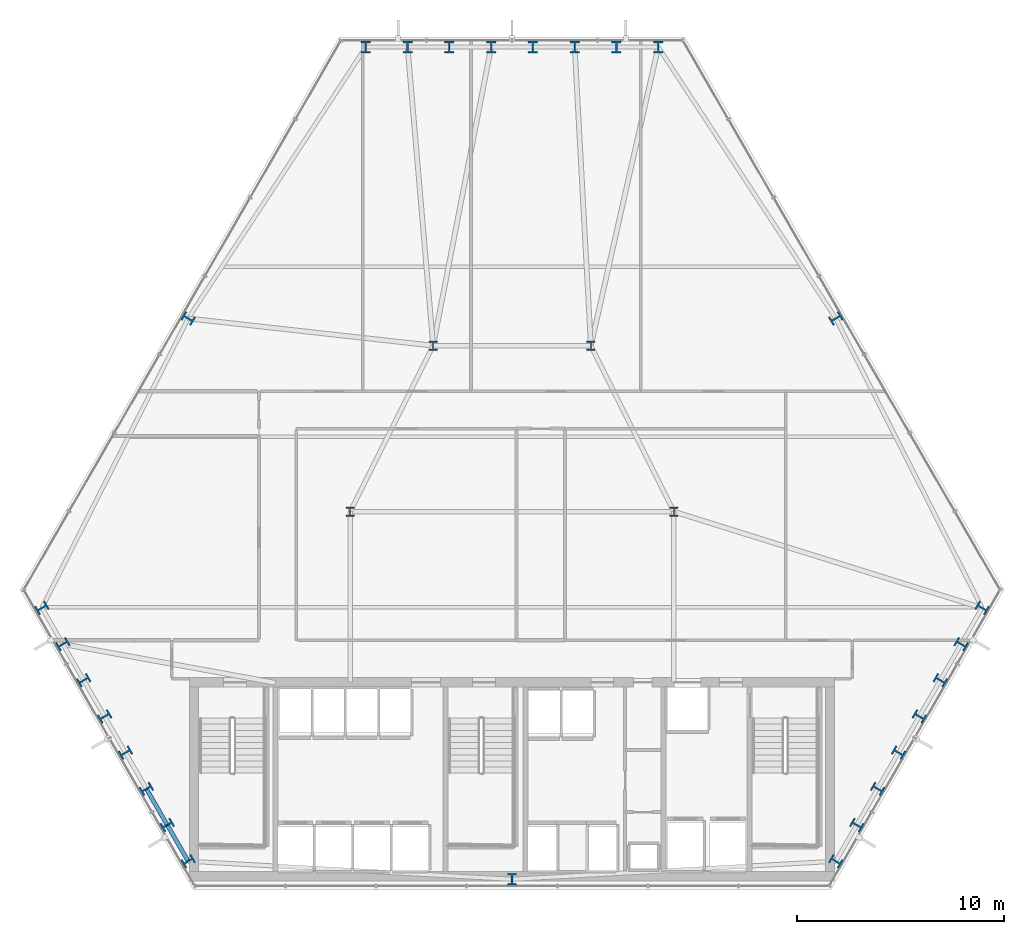
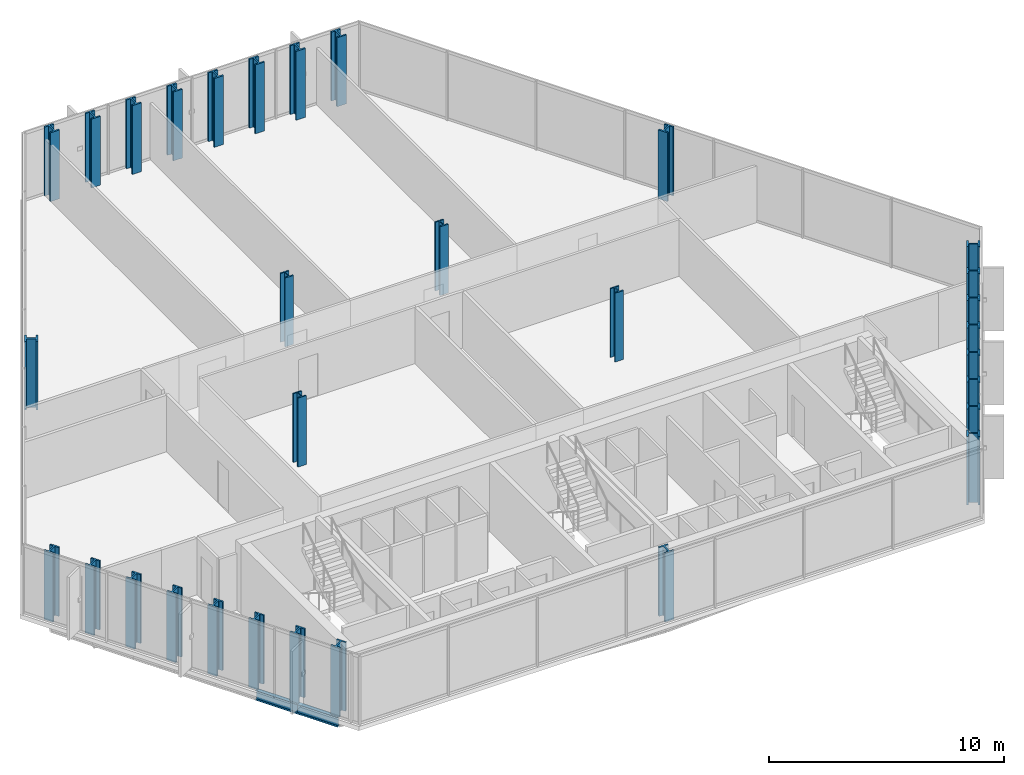
# One storey, part 1 of 33: 31 columns, 2 beams.
"""IFC4 building model written with IfcOpenShell, lengths in metres."""

from ifc_helpers import new_model, si_unit, direction, frame, origin, origin_2d, place, context, subcontext, project, spatial, i_section, extrude, material, material_profile, profile_set, type_object, element, save


model = new_model("IFC4")

# Units and contexts
model_context = context("Model", 3, precision=1e-05, world=origin(), true_north=direction((0.0, 1.0)))
body_context = subcontext(model_context, "Body", "Model", "MODEL_VIEW")
ifc_project = project(units=[si_unit("LENGTHUNIT", "METRE"), si_unit("AREAUNIT", "SQUARE_METRE"), si_unit("VOLUMEUNIT", "CUBIC_METRE"), si_unit("PLANEANGLEUNIT", "RADIAN"), si_unit("MASSUNIT", "GRAM", prefix="KILO")], contexts=[model_context])

# Site, building, storey
site_placement = place(None, origin())
site = spatial("IfcSite", under=ifc_project, at=site_placement, CompositionType="ELEMENT")
building_placement = place(site_placement, origin())
building = spatial("IfcBuilding", under=site, at=building_placement, Name="Ndaravel Arena Tower", CompositionType="ELEMENT")
storey_placement = place(building_placement, frame((0.0, 0.0, 39.800048828125)))
storey = spatial("IfcBuildingStorey", under=building, at=storey_placement, Name="L07", CompositionType="ELEMENT", Elevation=39.800048828125)

# Columns
ifc_material_1 = material(Name="Steel S460", Category="steel")
ifc_material_profile_1 = material_profile(ifc_material_1, i_section(OverallWidth=0.41845703125, OverallDepth=0.45556640625, WebThickness=0.0419921875, FlangeThickness=0.0673828125, FilletRadius=0.01513671875, at=origin_2d()), Name="UC 356x406x551")
ifc_profile_set_1 = profile_set([ifc_material_profile_1], Name="Steel S460")
column_type_1 = type_object("IfcColumnType", Name="COL-INT-UC551", PredefinedType="COLUMN", material=ifc_profile_set_1)
for number, where, z_axis, x_axis, name in (
    (1, (34.199951171875, 23.199951171875, 0.0), (0.0, 0.0, 1.0), (1.0, 0.0, 0.0), "L07 Interior Spine Column IC-01"),
    (2, (49.800048828125, 23.199951171875, 0.0), (0.0, 0.0, 1.0), (1.0, 0.0, 0.0), "L07 Interior Spine Column IC-02"),
    (3, (38.199951171875, 31.199951171875, 0.0), (0.0, 0.0, 1.0), (1.0, 0.0, 0.0), "L07 Interior Spine Column IC-03"),
    (4, (45.800048828125, 31.199951171875, 0.0), (0.0, 0.0, 1.0), (1.0, 0.0, 0.0), "L07 Interior Spine Column IC-04"),
):
    element("IfcColumn", number, at=place(storey_placement, frame(where, z_axis=z_axis, x_axis=x_axis)), inside=storey, type_object=column_type_1, Name=name, PredefinedType="COLUMN", context=body_context, shape_type="SweptSolid", body=[
        extrude(i_section(OverallWidth=0.41845703125, OverallDepth=0.45556640625, WebThickness=0.0419921875, FlangeThickness=0.0673828125, FilletRadius=0.01513671875, at=origin_2d()), origin(), (0.0, 0.0, 1.0), 3.579833984375),
    ])
ifc_material_2 = material(Name="Steel S460", Category="steel")
ifc_material_profile_2 = material_profile(ifc_material_2, i_section(OverallWidth=0.4541015625, OverallDepth=0.569091796875, WebThickness=0.077880859375, FlangeThickness=0.080078125, FilletRadius=0.014892578125, at=origin_2d()), Name="HD 400x1086")
ifc_profile_set_2 = profile_set([ifc_material_profile_2], Name="Steel S460")
column_type_2 = type_object("IfcColumnType", Name="COL-TUBE-HD1086", PredefinedType="COLUMN", material=ifc_profile_set_2)
for number, where, z_axis, x_axis, name in (
    (5, (42.0, 5.47998046875, 0.0), (0.0, 0.0, 1.0), (1.0, 0.0, 0.0), "L07 Framed Tube Column TC-01"),
    (6, (57.60693359375, 6.351806640625, 0.0), (0.0, 0.0, 1.0), (0.5, 0.866025403784, 0.0), "L07 Framed Tube Column TC-02"),
    (7, (58.613525390625, 8.095703125, 0.0), (0.0, 0.0, 1.0), (0.5, 0.866025403784, 0.0), "L07 Framed Tube Column TC-03"),
    (8, (59.620361328125, 9.83935546875, 0.0), (0.0, 0.0, 1.0), (0.5, 0.866025403784, 0.0), "L07 Framed Tube Column TC-04"),
    (9, (60.627197265625, 11.5830078125, 0.0), (0.0, 0.0, 1.0), (0.5, 0.866025403784, 0.0), "L07 Framed Tube Column TC-05"),
    (10, (61.6337890625, 13.326904296875, 0.0), (0.0, 0.0, 1.0), (0.5, 0.866025403784, 0.0), "L07 Framed Tube Column TC-06"),
    (11, (62.640625, 15.070556640625, 0.0), (0.0, 0.0, 1.0), (0.5, 0.866025403784, 0.0), "L07 Framed Tube Column TC-07"),
    (12, (63.6474609375, 16.814453125, 0.0), (0.0, 0.0, 1.0), (0.5, 0.866025403784, 0.0), "L07 Framed Tube Column TC-08"),
    (13, (64.654052734375, 18.55810546875, 0.0), (0.0, 0.0, 1.0), (0.5, 0.866025403784, 0.0), "L07 Framed Tube Column TC-09"),
    (14, (57.605712890625, 32.510009765625, 0.0), (0.0, 0.0, 1.0), (-0.5, 0.866025403784, 0.0), "L07 Framed Tube Column TC-10"),
    (15, (49.04736328125, 45.590087890625, 0.0), (0.0, 0.0, 1.0), (1.0, 0.0, 0.0), "L07 Framed Tube Column TC-11"),
    (16, (47.03369140625, 45.590087890625, 0.0), (0.0, 0.0, 1.0), (1.0, 0.0, 0.0), "L07 Framed Tube Column TC-12"),
    (17, (45.020263671875, 45.590087890625, 0.0), (0.0, 0.0, 1.0), (1.0, 0.0, 0.0), "L07 Framed Tube Column TC-13"),
    (18, (43.0068359375, 45.590087890625, 0.0), (0.0, 0.0, 1.0), (1.0, 0.0, 0.0), "L07 Framed Tube Column TC-14"),
    (19, (40.9931640625, 45.590087890625, 0.0), (0.0, 0.0, 1.0), (1.0, 0.0, 0.0), "L07 Framed Tube Column TC-15"),
    (20, (38.979736328125, 45.590087890625, 0.0), (0.0, 0.0, 1.0), (1.0, 0.0, 0.0), "L07 Framed Tube Column TC-16"),
    (21, (36.96630859375, 45.590087890625, 0.0), (0.0, 0.0, 1.0), (1.0, 0.0, 0.0), "L07 Framed Tube Column TC-17"),
    (22, (34.95263671875, 45.590087890625, 0.0), (0.0, 0.0, 1.0), (1.0, 0.0, 0.0), "L07 Framed Tube Column TC-18"),
    (23, (26.394287109375, 32.510009765625, 0.0), (0.0, 0.0, 1.0), (0.5, 0.866025403784, 0.0), "L07 Framed Tube Column TC-19"),
    (24, (19.345947265625, 18.55810546875, 0.0), (0.0, 0.0, 1.0), (-0.5, 0.866025403784, 0.0), "L07 Framed Tube Column TC-20"),
    (25, (20.3525390625, 16.814453125, 0.0), (0.0, 0.0, 1.0), (-0.5, 0.866025403784, 0.0), "L07 Framed Tube Column TC-21"),
    (26, (21.359375, 15.070556640625, 0.0), (0.0, 0.0, 1.0), (-0.5, 0.866025403784, 0.0), "L07 Framed Tube Column TC-22"),
    (27, (22.3662109375, 13.326904296875, 0.0), (0.0, 0.0, 1.0), (-0.5, 0.866025403784, 0.0), "L07 Framed Tube Column TC-23"),
    (28, (23.372802734375, 11.5830078125, 0.0), (0.0, 0.0, 1.0), (-0.5, 0.866025403784, 0.0), "L07 Framed Tube Column TC-24"),
    (29, (24.379638671875, 9.83935546875, 0.0), (0.0, 0.0, 1.0), (-0.5, 0.866025403784, 0.0), "L07 Framed Tube Column TC-25"),
    (30, (25.386474609375, 8.095703125, 0.0), (0.0, 0.0, 1.0), (-0.5, 0.866025403784, 0.0), "L07 Framed Tube Column TC-26"),
    (31, (26.39306640625, 6.351806640625, 0.0), (0.0, 0.0, 1.0), (-0.5, 0.866025403784, 0.0), "L07 Framed Tube Column TC-27"),
):
    element("IfcColumn", number, at=place(storey_placement, frame(where, z_axis=z_axis, x_axis=x_axis)), inside=storey, type_object=column_type_2, Name=name, PredefinedType="COLUMN", context=body_context, shape_type="SweptSolid", body=[
        extrude(i_section(OverallWidth=0.4541015625, OverallDepth=0.569091796875, WebThickness=0.077880859375, FlangeThickness=0.080078125, FilletRadius=0.014892578125, at=origin_2d()), origin(), (0.0, 0.0, 1.0), 3.579833984375),
    ])

# Beams
ifc_material_3 = material(Name="Steel S355", Category="steel")
ifc_material_profile_3 = material_profile(ifc_material_3, i_section(OverallWidth=0.199951171875, OverallDepth=0.5, WebThickness=0.01025390625, FlangeThickness=0.01611328125, FilletRadius=0.02099609375, at=origin_2d()), Name="IPE 500")
ifc_profile_set_3 = profile_set([ifc_material_profile_3], Name="Steel S355")
beam_type = type_object("IfcBeamType", Name="BM-SPAN-IPE500", PredefinedType="SPANDREL", material=ifc_profile_set_3)
beam_1_placement = place(storey_placement, frame((24.379638671875, 9.83935546875, -0.469970703125), z_axis=(0.500051323872, -0.865995769906, 0.0), x_axis=(0.865995769906, 0.500051323872, 0.0)))
element("IfcBeam", 32, at=beam_1_placement, inside=storey, type_object=beam_type, Name="L07 Perimeter Spandrel Beam SP-25", PredefinedType="SPANDREL", context=body_context, shape_type="SweptSolid", body=[
    extrude(i_section(OverallWidth=0.199951171875, OverallDepth=0.5, WebThickness=0.01025390625, FlangeThickness=0.01611328125, FilletRadius=0.02099609375, at=origin_2d()), origin(), (0.0, 0.0, 1.0), 2.013427734375),
])
beam_2_placement = place(storey_placement, frame((25.386474609375, 8.095703125, -0.469970703125), z_axis=(0.499907881037, -0.86607858216, 0.0), x_axis=(0.86607858216, 0.499907881037, 0.0)))
element("IfcBeam", 33, at=beam_2_placement, inside=storey, type_object=beam_type, Name="L07 Perimeter Spandrel Beam SP-26", PredefinedType="SPANDREL", context=body_context, shape_type="SweptSolid", body=[
    extrude(i_section(OverallWidth=0.199951171875, OverallDepth=0.5, WebThickness=0.01025390625, FlangeThickness=0.01611328125, FilletRadius=0.02099609375, at=origin_2d()), origin(), (0.0, 0.0, 1.0), 2.013671875),
])

save(model, "model.ifc")
